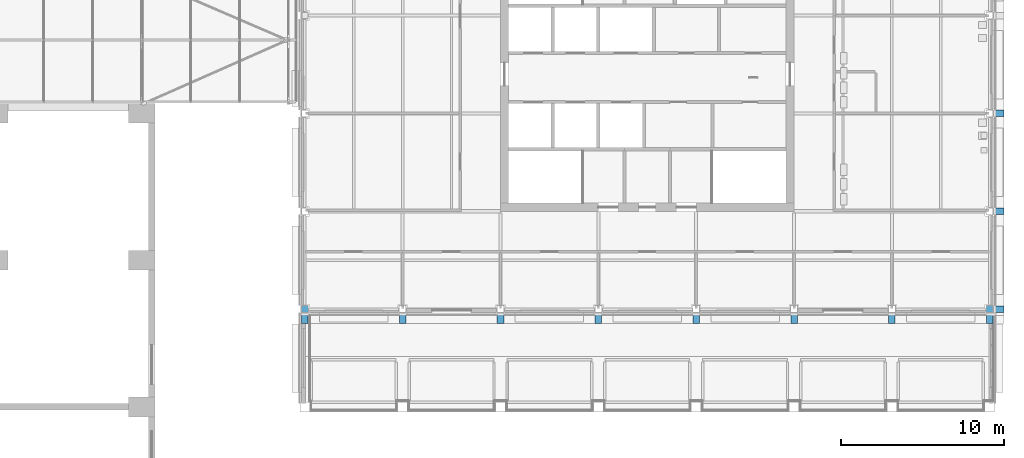
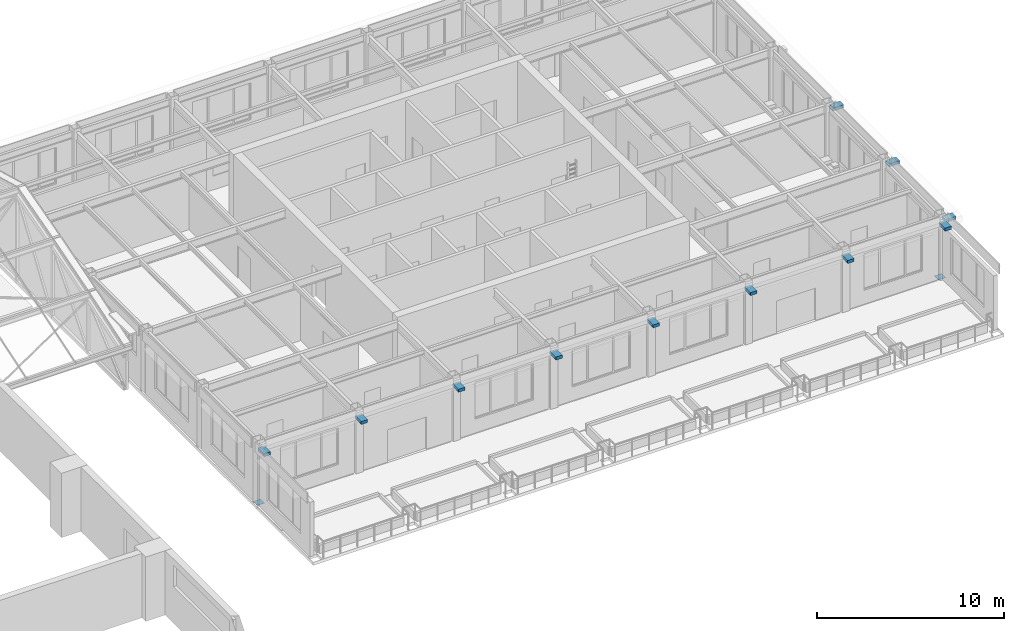
# One storey, part 74 of 82: 13 discrete accessories.
"""IFC4 building model written with IfcOpenShell, lengths in metres."""

from ifc_helpers import new_model, si_unit, direction, frame, origin, place, context, subcontext, project, spatial, polyline, outline, extrude, material, layer, layer_set, type_object, element, save


model = new_model("IFC4")

# Units and contexts
model_context = context("Model", 3, precision=1e-05, world=origin(), true_north=direction((0.0, 1.0)))
body_context = subcontext(model_context, "Body", "Model", "MODEL_VIEW")
ifc_project = project(units=[si_unit("LENGTHUNIT", "METRE"), si_unit("AREAUNIT", "SQUARE_METRE"), si_unit("VOLUMEUNIT", "CUBIC_METRE"), si_unit("PLANEANGLEUNIT", "RADIAN"), si_unit("MASSUNIT", "GRAM", prefix="KILO")], contexts=[model_context])

# Site, building, storey
site_placement = place(None, origin())
site = spatial("IfcSite", under=ifc_project, at=site_placement, CompositionType="ELEMENT")
building_placement = place(site_placement, origin())
building = spatial("IfcBuilding", under=site, at=building_placement, Name="Aravalli Gate Trade Fair Centre", CompositionType="ELEMENT")
storey_placement = place(building_placement, frame((0.0, 0.0, 19.199951171875)))
storey = spatial("IfcBuildingStorey", under=building, at=storey_placement, Name="L04", CompositionType="ELEMENT", Elevation=19.199951171875)

# Discrete accessories
ifc_material = material(Name="Steel E350", Category="steel")
ifc_layer = layer(ifc_material, 0.011962890625)
ifc_layer_set = layer_set([ifc_layer], Name="Steel E350")
discrete_accessory_type_1 = type_object("IfcDiscreteAccessoryType", Name="End plate 450x450 x 12", PredefinedType="USERDEFINED", material=ifc_layer_set)
for number, where, z_axis, x_axis, name in (
    (1, (159.77490234375, 96.77490234375, 0.0), (0.0, 0.0, 1.0), (1.0, 0.0, 0.0), "End plate Wing column 18/T1 L04 end A"),
    (2, (201.77490234375, 96.77490234375, 0.0), (0.0, 0.0, 1.0), (1.0, 0.0, 0.0), "End plate Wing column 25/T1 L04 end A"),
):
    element("IfcDiscreteAccessory", number, at=place(storey_placement, frame(where, z_axis=z_axis, x_axis=x_axis)), inside=storey, type_object=discrete_accessory_type_1, Name=name, ObjectType="END CAP", PredefinedType="USERDEFINED", context=body_context, shape_type="SweptSolid", body=[
        extrude(outline(polyline([(0.0, 0.0), (0.4501953125, 0.0), (0.4501953125, 0.4501953125), (0.0, 0.4501953125), (0.0, 0.0)])), origin(), (0.0, 0.0, -1.0), 0.011962890625),
    ])
discrete_accessory_type_2 = type_object("IfcDiscreteAccessoryType", Name="Wing cornice bracket", PredefinedType="BRACKET", material=ifc_material)
discrete_accessory_1_placement = place(storey_placement, frame((0.0, 0.0, 3.550048828125)))
element("IfcDiscreteAccessory", 3, at=discrete_accessory_1_placement, inside=storey, type_object=discrete_accessory_type_2, Name="Cornice bracket 18T1 S", PredefinedType="BRACKET", context=body_context, shape_type="SweptSolid", body=[
    extrude(outline(polyline([(159.800048828125, 96.125), (160.199951171875, 96.125), (160.199951171875, 96.77490234375), (159.800048828125, 96.77490234375), (159.800048828125, 96.125)])), origin(), (0.0, 0.0, 1.0), 0.199951171875),
])
discrete_accessory_2_placement = place(storey_placement, frame((0.0, 0.0, 3.550048828125)))
element("IfcDiscreteAccessory", 4, at=discrete_accessory_2_placement, inside=storey, type_object=discrete_accessory_type_2, Name="Cornice bracket 25T1 S", PredefinedType="BRACKET", context=body_context, shape_type="SweptSolid", body=[
    extrude(outline(polyline([(201.800048828125, 96.125), (202.199951171875, 96.125), (202.199951171875, 96.77490234375), (201.800048828125, 96.77490234375), (201.800048828125, 96.125)])), origin(), (0.0, 0.0, 1.0), 0.199951171875),
])
discrete_accessory_3_placement = place(storey_placement, frame((0.0, 0.0, 3.550048828125)))
element("IfcDiscreteAccessory", 5, at=discrete_accessory_3_placement, inside=storey, type_object=discrete_accessory_type_2, Name="Cornice bracket 25T1 E", PredefinedType="BRACKET", context=body_context, shape_type="SweptSolid", body=[
    extrude(outline(polyline([(202.22509765625, 96.800048828125), (202.875, 96.800048828125), (202.875, 97.199951171875), (202.22509765625, 97.199951171875), (202.22509765625, 96.800048828125)])), origin(), (0.0, 0.0, 1.0), 0.199951171875),
])
discrete_accessory_4_placement = place(storey_placement, frame((0.0, 0.0, 3.550048828125)))
element("IfcDiscreteAccessory", 6, at=discrete_accessory_4_placement, inside=storey, type_object=discrete_accessory_type_2, Name="Cornice bracket 25T2 E", PredefinedType="BRACKET", context=body_context, shape_type="SweptSolid", body=[
    extrude(outline(polyline([(202.22509765625, 102.800048828125), (202.875, 102.800048828125), (202.875, 103.199951171875), (202.22509765625, 103.199951171875), (202.22509765625, 102.800048828125)])), origin(), (0.0, 0.0, 1.0), 0.199951171875),
])
discrete_accessory_5_placement = place(storey_placement, frame((0.0, 0.0, 3.550048828125)))
element("IfcDiscreteAccessory", 7, at=discrete_accessory_5_placement, inside=storey, type_object=discrete_accessory_type_2, Name="Cornice bracket 25H E", PredefinedType="BRACKET", context=body_context, shape_type="SweptSolid", body=[
    extrude(outline(polyline([(202.22509765625, 108.800048828125), (202.875, 108.800048828125), (202.875, 109.199951171875), (202.22509765625, 109.199951171875), (202.22509765625, 108.800048828125)])), origin(), (0.0, 0.0, 1.0), 0.199951171875),
])
discrete_accessory_6_placement = place(storey_placement, frame((0.0, 0.0, 3.550048828125)))
element("IfcDiscreteAccessory", 8, at=discrete_accessory_6_placement, inside=storey, type_object=discrete_accessory_type_2, Name="Cornice bracket 19T1 S", PredefinedType="BRACKET", context=body_context, shape_type="SweptSolid", body=[
    extrude(outline(polyline([(165.800048828125, 96.125), (166.199951171875, 96.125), (166.199951171875, 96.77490234375), (165.800048828125, 96.77490234375), (165.800048828125, 96.125)])), origin(), (0.0, 0.0, 1.0), 0.199951171875),
])
discrete_accessory_7_placement = place(storey_placement, frame((0.0, 0.0, 3.550048828125)))
element("IfcDiscreteAccessory", 9, at=discrete_accessory_7_placement, inside=storey, type_object=discrete_accessory_type_2, Name="Cornice bracket 20T1 S", PredefinedType="BRACKET", context=body_context, shape_type="SweptSolid", body=[
    extrude(outline(polyline([(171.800048828125, 96.125), (172.199951171875, 96.125), (172.199951171875, 96.77490234375), (171.800048828125, 96.77490234375), (171.800048828125, 96.125)])), origin(), (0.0, 0.0, 1.0), 0.199951171875),
])
discrete_accessory_8_placement = place(storey_placement, frame((0.0, 0.0, 3.550048828125)))
element("IfcDiscreteAccessory", 10, at=discrete_accessory_8_placement, inside=storey, type_object=discrete_accessory_type_2, Name="Cornice bracket 21T1 S", PredefinedType="BRACKET", context=body_context, shape_type="SweptSolid", body=[
    extrude(outline(polyline([(177.800048828125, 96.125), (178.199951171875, 96.125), (178.199951171875, 96.77490234375), (177.800048828125, 96.77490234375), (177.800048828125, 96.125)])), origin(), (0.0, 0.0, 1.0), 0.199951171875),
])
discrete_accessory_9_placement = place(storey_placement, frame((0.0, 0.0, 3.550048828125)))
element("IfcDiscreteAccessory", 11, at=discrete_accessory_9_placement, inside=storey, type_object=discrete_accessory_type_2, Name="Cornice bracket 22T1 S", PredefinedType="BRACKET", context=body_context, shape_type="SweptSolid", body=[
    extrude(outline(polyline([(183.800048828125, 96.125), (184.199951171875, 96.125), (184.199951171875, 96.77490234375), (183.800048828125, 96.77490234375), (183.800048828125, 96.125)])), origin(), (0.0, 0.0, 1.0), 0.199951171875),
])
discrete_accessory_10_placement = place(storey_placement, frame((0.0, 0.0, 3.550048828125)))
element("IfcDiscreteAccessory", 12, at=discrete_accessory_10_placement, inside=storey, type_object=discrete_accessory_type_2, Name="Cornice bracket 23T1 S", PredefinedType="BRACKET", context=body_context, shape_type="SweptSolid", body=[
    extrude(outline(polyline([(189.800048828125, 96.125), (190.199951171875, 96.125), (190.199951171875, 96.77490234375), (189.800048828125, 96.77490234375), (189.800048828125, 96.125)])), origin(), (0.0, 0.0, 1.0), 0.199951171875),
])
discrete_accessory_11_placement = place(storey_placement, frame((0.0, 0.0, 3.550048828125)))
element("IfcDiscreteAccessory", 13, at=discrete_accessory_11_placement, inside=storey, type_object=discrete_accessory_type_2, Name="Cornice bracket 24T1 S", PredefinedType="BRACKET", context=body_context, shape_type="SweptSolid", body=[
    extrude(outline(polyline([(195.800048828125, 96.125), (196.199951171875, 96.125), (196.199951171875, 96.77490234375), (195.800048828125, 96.77490234375), (195.800048828125, 96.125)])), origin(), (0.0, 0.0, 1.0), 0.199951171875),
])

save(model, "model.ifc")
